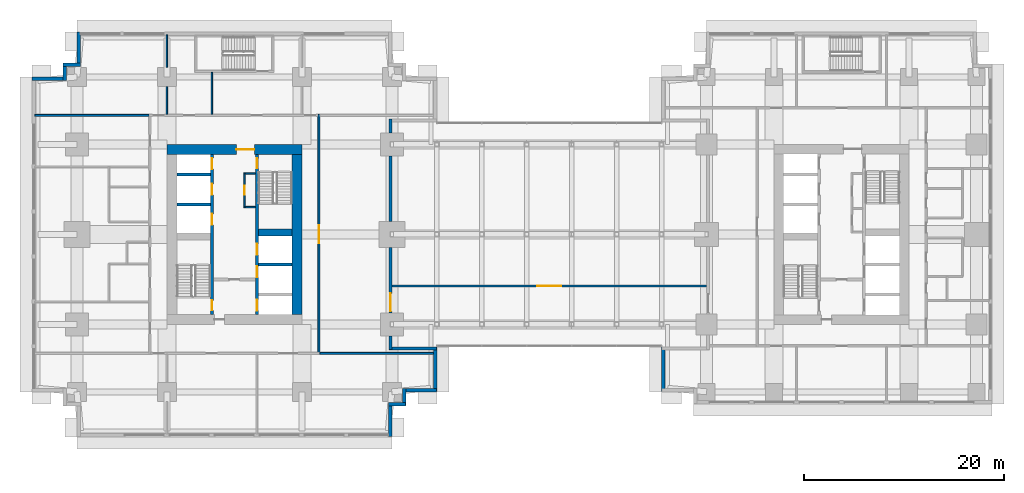
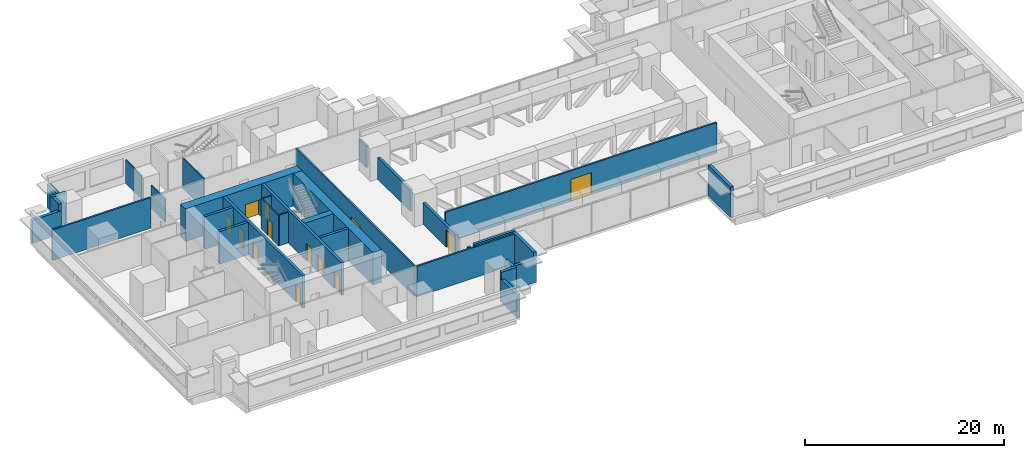
# One storey, part 8 of 15: 33 walls, 13 doors, 13 openings.
"""IFC4 building model written with IfcOpenShell, lengths in metres."""

import ifcopenshell
import ifcopenshell.guid

model = None  # the IFC model being written
_history = None  # IfcOwnerHistory: only IFC2X3 demands one
_inside = {}  # id of a spatial element -> (the spatial element, [elements in it])
_under = {}  # id of a project, library or spatial element -> (it, [spatial elements below it])
_declared = {}  # id of a project -> (the project, [libraries it declares])
_typed = {}  # id of a type object -> (the type object, [elements of that type])
_made_of = {}  # id of a material, layer set ... -> (it, [elements and type objects made of it])


def new_model(schema):
    """Start an empty IFC model of exactly this schema.

    Asked for "IFC4X3", IfcOpenShell would pick the latest addendum, in which some entities
    have other attributes; the version numbers below select the first issue.
    IFC2X3 requires an IfcOwnerHistory on every rooted entity: one is made here for all.
    """
    global model, _history
    if schema == "IFC4X3":
        model = ifcopenshell.file(schema_version=(4, 3, 0, 0))
    else:
        model = ifcopenshell.file(schema=schema)
    _inside.clear()
    _under.clear()
    _declared.clear()
    _typed.clear()
    _made_of.clear()
    _history = None
    if model.schema == "IFC2X3":
        org = make("IfcOrganization", Name="unknown")
        user = make(
            "IfcPersonAndOrganization",
            ThePerson=make("IfcPerson", FamilyName="unknown"),
            TheOrganization=org,
        )
        app = make(
            "IfcApplication",
            ApplicationDeveloper=org,
            Version="unknown",
            ApplicationFullName="unknown",
            ApplicationIdentifier="unknown",
        )
        _history = make(
            "IfcOwnerHistory",
            OwningUser=user,
            OwningApplication=app,
            ChangeAction="ADDED",
            CreationDate=0,
        )
    return model


def make(cls, **values):
    """One entity of the class cls with the attributes given. An attribute that is None is left unset."""
    return model.create_entity(
        cls, **{name: value for name, value in values.items() if value is not None}
    )


def rooted(cls, **values):
    """An entity with a GlobalId (a new one), such as an element, a storey or a relation."""
    return make(cls, GlobalId=ifcopenshell.guid.new(), OwnerHistory=_history, **values)


def si_unit(unit_type, name, prefix=None):
    """IfcSIUnit, for example si_unit("LENGTHUNIT", "METRE", prefix="MILLI")."""
    return make("IfcSIUnit", UnitType=unit_type, Prefix=prefix, Name=name)


def assignment(units):
    """IfcUnitAssignment: the units of a project."""
    return None if units is None else make("IfcUnitAssignment", Units=units)


def point(xyz):
    """IfcCartesianPoint."""
    return None if xyz is None else make("IfcCartesianPoint", Coordinates=xyz)


def direction(xyz):
    """IfcDirection."""
    return None if xyz is None else make("IfcDirection", DirectionRatios=xyz)


def frame(location, z_axis=None, x_axis=None):
    """IfcAxis2Placement3D, a coordinate frame: its origin and axes. An axis left out is left unset."""
    return make(
        "IfcAxis2Placement3D",
        Location=point(location),
        Axis=direction(z_axis),
        RefDirection=direction(x_axis),
    )


def frame_2d(location, x_axis=None):
    """IfcAxis2Placement2D, a coordinate frame in the plane: its origin and x axis."""
    return make(
        "IfcAxis2Placement2D", Location=point(location), RefDirection=direction(x_axis)
    )


def origin():
    """The frame at (0, 0, 0) with its axes left unset."""
    return frame((0.0, 0.0, 0.0))


def place(relative_to, where):
    """IfcLocalPlacement: puts the frame where relative to a parent placement (None: the world)."""
    return make(
        "IfcLocalPlacement", PlacementRelTo=relative_to, RelativePlacement=where
    )


def context(
    kind, dimensions, precision=None, world=None, true_north=None, identifier=None
):
    """IfcGeometricRepresentationContext, for example the 3D "Model" context."""
    return make(
        "IfcGeometricRepresentationContext",
        ContextIdentifier=identifier,
        ContextType=kind,
        CoordinateSpaceDimension=dimensions,
        Precision=precision,
        WorldCoordinateSystem=world,
        TrueNorth=true_north,
    )


def subcontext(parent, identifier, kind, view, scale=None):
    """IfcGeometricRepresentationSubContext, for example "Body" below "Model"."""
    return make(
        "IfcGeometricRepresentationSubContext",
        ContextIdentifier=identifier,
        ContextType=kind,
        ParentContext=parent,
        TargetScale=scale,
        TargetView=view,
    )


def project(units=None, contexts=None):
    """IfcProject with its units and contexts."""
    return rooted(
        "IfcProject",
        Name="project",
        RepresentationContexts=contexts,
        UnitsInContext=assignment(units),
    )


def spatial(cls, under=None, at=None, **own):
    """A site, building, storey or space (cls), placed at a placement, below another one or the project."""
    s = rooted(cls, ObjectPlacement=at, **own)
    if under is not None:
        _under.setdefault(under.id(), (under, []))[1].append(s)
    return s


def profile(cls, at=None, kind="AREA", **sizes):
    """A parametric profile (cls). Its sizes go by their IFC names, for example OverallWidth=200.0."""
    return make(cls, ProfileType=kind, Position=at, **sizes)


def rectangle(**sizes):
    """IfcRectangleProfileDef."""
    return profile("IfcRectangleProfileDef", **sizes)


def extrude(swept, where, along, depth):
    """IfcExtrudedAreaSolid: the profile swept, set in the frame where, extruded along a direction by depth."""
    return make(
        "IfcExtrudedAreaSolid",
        SweptArea=swept,
        Position=where,
        ExtrudedDirection=direction(along),
        Depth=depth,
    )


def shape(context_of_items, identifier, shape_type, items):
    """IfcShapeRepresentation: the items that make up one representation, for example the "Body"."""
    return make(
        "IfcShapeRepresentation",
        ContextOfItems=context_of_items,
        RepresentationIdentifier=identifier,
        RepresentationType=shape_type,
        Items=items,
    )


def material(Name=None, Category=None):
    """IfcMaterial."""
    return make("IfcMaterial", Name=Name, Category=Category)


def layer(
    of_material, thickness, ventilated=None, Name=None, Category=None, Priority=None
):
    """IfcMaterialLayer: one layer of a wall or slab, of a material (None: an air gap)."""
    return make(
        "IfcMaterialLayer",
        Material=of_material,
        LayerThickness=thickness,
        IsVentilated=ventilated,
        Name=Name,
        Category=Category,
        Priority=Priority,
    )


def layer_set(layers, Name=None):
    """IfcMaterialLayerSet."""
    return make("IfcMaterialLayerSet", MaterialLayers=layers, LayerSetName=Name)


def made_of(thing, what):
    """Note that an element or type object is made of a material, layer set ...; save() writes the relation."""
    if what is not None:
        _made_of.setdefault(what.id(), (what, []))[1].append(thing)
    return thing


def type_object(cls, material=None, **own):
    """A type object (cls), such as IfcWallType, which elements share."""
    return made_of(rooted(cls, **own), material)


def element(
    cls,
    number,
    at=None,
    inside=None,
    cuts=None,
    type_object=None,
    material=None,
    context=None,
    identifier="Body",
    shape_type=None,
    held_by="IfcProductDefinitionShape",
    body=None,
    shapes=None,
    **own,
):
    """One element of the class cls, such as IfcWall. Its Tag is "e" and its number.

    at: its placement. inside: the storey or other place that contains it. cuts: it is an
    opening in that element (IfcRelVoidsElement). A single representation is given by context,
    identifier, shape_type and body (its items); several are given by shapes. held_by: the class
    of the entity that holds the representations. save() writes the other relations.
    """
    e = rooted(cls, Tag="e%d" % number, ObjectPlacement=at, **own)
    if body is not None:
        shapes = [shape(context, identifier, shape_type, body)]
    if shapes is not None:
        e.Representation = make(held_by, Representations=shapes)
    if inside is not None:
        _inside.setdefault(inside.id(), (inside, []))[1].append(e)
    if cuts is not None:
        rooted(
            "IfcRelVoidsElement", RelatingBuildingElement=cuts, RelatedOpeningElement=e
        )
    if type_object is not None:
        _typed.setdefault(type_object.id(), (type_object, []))[1].append(e)
    return made_of(e, material)


def fill(opening, filler):
    """IfcRelFillsElement: the door or window that sits in an opening."""
    return rooted(
        "IfcRelFillsElement",
        RelatingOpeningElement=opening,
        RelatedBuildingElement=filler,
    )


def aggregate(whole, parts):
    """IfcRelAggregates: a whole, such as a stair, and the parts it consists of."""
    return rooted("IfcRelAggregates", RelatingObject=whole, RelatedObjects=parts)


def save(model, path):
    """Write the relations noted so far, then the file.

    IfcRelAggregates (storeys below a building ...), IfcRelContainedInSpatialStructure (elements
    in a storey), IfcRelDefinesByType, IfcRelAssociatesMaterial and IfcRelDeclares: one each for
    every whole, place, type object, material and project.
    """
    for whole, parts in _under.values():
        aggregate(whole, parts)
    for where, things in _inside.values():
        rooted(
            "IfcRelContainedInSpatialStructure",
            RelatedElements=things,
            RelatingStructure=where,
        )
    for kind, things in _typed.values():
        rooted("IfcRelDefinesByType", RelatedObjects=things, RelatingType=kind)
    for what, things in _made_of.values():
        rooted("IfcRelAssociatesMaterial", RelatedObjects=things, RelatingMaterial=what)
    for by, libraries in _declared.values():
        rooted("IfcRelDeclares", RelatingContext=by, RelatedDefinitions=libraries)
    model.write(path)


model = new_model("IFC4")

# Units and contexts
model_context = context("Model", 3, precision=1e-05, world=origin(), true_north=direction((0.0, 1.0)))
body_context = subcontext(model_context, "Body", "Model", "MODEL_VIEW")
ifc_project = project(units=[si_unit("LENGTHUNIT", "METRE"), si_unit("AREAUNIT", "SQUARE_METRE"), si_unit("VOLUMEUNIT", "CUBIC_METRE"), si_unit("PLANEANGLEUNIT", "RADIAN"), si_unit("MASSUNIT", "GRAM", prefix="KILO")], contexts=[model_context])

# Site, building, storey
site_placement = place(None, origin())
site = spatial("IfcSite", under=ifc_project, at=site_placement, CompositionType="ELEMENT")
building_placement = place(site_placement, origin())
building = spatial("IfcBuilding", under=site, at=building_placement, Name="Namib Vertical Campus", CompositionType="ELEMENT")
storey_placement = place(building_placement, frame((0.0, 0.0, 105.0)))
storey = spatial("IfcBuildingStorey", under=building, at=storey_placement, Name="L24", CompositionType="ELEMENT", Elevation=105.0)

# Wall, openings, doors
ifc_material_1 = material(Name="Concrete C60/75", Category="concrete")
ifc_layer_1 = layer(ifc_material_1, 0.300048828125)
ifc_layer_set_1 = layer_set([ifc_layer_1], Name="Concrete C60/75")
wall_type_1 = type_object("IfcWallType", Name="Core inner wall 300", PredefinedType="SHEAR", material=ifc_layer_set_1)
wall_1_placement = place(storey_placement, frame((18.0, 12.25, 0.0), z_axis=(0.0, 0.0, 1.0), x_axis=(0.0, 1.0, 0.0)))
wall_1 = element("IfcWall", 1, at=wall_1_placement, inside=storey, type_object=wall_type_1, Name="Core inner wall A L24 W1", PredefinedType="SHEAR", context=body_context, shape_type="SweptSolid", body=[
    extrude(rectangle(XDim=16.0, YDim=0.300048828125, at=frame_2d((8.0, 0.0))), origin(), (0.0, 0.0, 1.0), 4.0),
])
opening_1_placement = place(wall_1_placement, frame((0.39990234375, 0.0, 0.0)))
opening_1 = element("IfcOpeningElement", 2, at=opening_1_placement, cuts=wall_1, Name="Opening FD1", PredefinedType="OPENING", context=body_context, shape_type="SweptSolid", body=[
    extrude(rectangle(XDim=1.0, YDim=2.10009765625, at=frame_2d((0.5, 1.050048828125))), frame((0.0, 0.159912109375, 0.0), z_axis=(0.0, -1.0, 0.0), x_axis=(1.0, 0.0, 0.0)), (0.0, 0.0, 1.0), 0.320068359375),
])
opening_2_placement = place(wall_1_placement, frame((8.949951171875, 0.0, 0.0)))
opening_2 = element("IfcOpeningElement", 3, at=opening_2_placement, cuts=wall_1, Name="Opening LD1", PredefinedType="OPENING", context=body_context, shape_type="SweptSolid", body=[
    extrude(rectangle(XDim=1.10009765625, YDim=2.10009765625, at=frame_2d((0.550048828125, 1.050048828125))), frame((0.0, 0.159912109375, 0.0), z_axis=(0.0, -1.0, 0.0), x_axis=(1.0, 0.0, 0.0)), (0.0, 0.0, 1.0), 0.320068359375),
])
opening_3_placement = place(wall_1_placement, frame((11.949951171875, 0.0, 0.0)))
opening_3 = element("IfcOpeningElement", 4, at=opening_3_placement, cuts=wall_1, Name="Opening LD1", PredefinedType="OPENING", context=body_context, shape_type="SweptSolid", body=[
    extrude(rectangle(XDim=1.10009765625, YDim=2.10009765625, at=frame_2d((0.550048828125, 1.050048828125))), frame((0.0, 0.159912109375, 0.0), z_axis=(0.0, -1.0, 0.0), x_axis=(1.0, 0.0, 0.0)), (0.0, 0.0, 1.0), 0.320068359375),
])
opening_4_placement = place(wall_1_placement, frame((14.52490234375, 0.0, 0.0)))
opening_4 = element("IfcOpeningElement", 5, at=opening_4_placement, cuts=wall_1, Name="Opening LD1", PredefinedType="OPENING", context=body_context, shape_type="SweptSolid", body=[
    extrude(rectangle(XDim=1.10009765625, YDim=2.10009765625, at=frame_2d((0.550048828125, 1.050048828125))), frame((0.0, 0.159912109375, 0.0), z_axis=(0.0, -1.0, 0.0), x_axis=(1.0, 0.0, 0.0)), (0.0, 0.0, 1.0), 0.320068359375),
])
ifc_material_2 = material(Name="Steel fire door", Category="steel")
door_type_1 = type_object("IfcDoorType", Name="Fire door 1000x2100", OperationType="SINGLE_SWING_RIGHT", PredefinedType="DOOR", material=ifc_material_2)
door_1_placement = place(opening_1_placement, origin())
door_1 = element("IfcDoor", 6, at=door_1_placement, inside=storey, type_object=door_type_1, Name="Stair door FD1 A L24 S1", OperationType="SINGLE_SWING_LEFT", OverallHeight=2.10009765625, OverallWidth=1.0, PredefinedType="DOOR", context=body_context, shape_type="SweptSolid", body=[
    extrude(rectangle(XDim=1.0, YDim=2.10009765625, at=frame_2d((0.5, 1.050048828125))), frame((0.0, 0.02490234375, 0.0), z_axis=(0.0, -1.0, 0.0), x_axis=(1.0, 0.0, 0.0)), (0.0, 0.0, 1.0), 0.050048828125),
])
fill(opening_1, door_1)
ifc_material_3 = material(Name="Stainless steel lift door", Category="steel")
door_type_2 = type_object("IfcDoorType", Name="Lift landing door 1100x2100", OperationType="DOUBLE_DOOR_SLIDING", PredefinedType="DOOR", material=ifc_material_3)
door_2_placement = place(opening_2_placement, origin())
door_2 = element("IfcDoor", 7, at=door_2_placement, inside=storey, type_object=door_type_2, Name="Lift landing door LD1 A-P1 L24", OperationType="DOUBLE_DOOR_SLIDING", OverallHeight=2.10009765625, OverallWidth=1.10009765625, PredefinedType="DOOR", context=body_context, shape_type="SweptSolid", body=[
    extrude(rectangle(XDim=1.10009765625, YDim=2.10009765625, at=frame_2d((0.550048828125, 1.050048828125))), frame((0.0, 0.02490234375, 0.0), z_axis=(0.0, -1.0, 0.0), x_axis=(1.0, 0.0, 0.0)), (0.0, 0.0, 1.0), 0.050048828125),
])
fill(opening_2, door_2)
door_3_placement = place(opening_3_placement, origin())
door_3 = element("IfcDoor", 8, at=door_3_placement, inside=storey, type_object=door_type_2, Name="Lift landing door LD1 A-P2 L24", OperationType="DOUBLE_DOOR_SLIDING", OverallHeight=2.10009765625, OverallWidth=1.10009765625, PredefinedType="DOOR", context=body_context, shape_type="SweptSolid", body=[
    extrude(rectangle(XDim=1.10009765625, YDim=2.10009765625, at=frame_2d((0.550048828125, 1.050048828125))), frame((0.0, 0.02490234375, 0.0), z_axis=(0.0, -1.0, 0.0), x_axis=(1.0, 0.0, 0.0)), (0.0, 0.0, 1.0), 0.050048828125),
])
fill(opening_3, door_3)
door_4_placement = place(opening_4_placement, origin())
door_4 = element("IfcDoor", 9, at=door_4_placement, inside=storey, type_object=door_type_2, Name="Lift landing door LD1 A-P3 L24", OperationType="DOUBLE_DOOR_SLIDING", OverallHeight=2.10009765625, OverallWidth=1.10009765625, PredefinedType="DOOR", context=body_context, shape_type="SweptSolid", body=[
    extrude(rectangle(XDim=1.10009765625, YDim=2.10009765625, at=frame_2d((0.550048828125, 1.050048828125))), frame((0.0, 0.02490234375, 0.0), z_axis=(0.0, -1.0, 0.0), x_axis=(1.0, 0.0, 0.0)), (0.0, 0.0, 1.0), 0.050048828125),
])
fill(opening_4, door_4)

wall_2_placement = place(storey_placement, frame((22.5, 12.25, 0.0), z_axis=(0.0, 0.0, 1.0), x_axis=(0.0, 1.0, 0.0)))
wall_2 = element("IfcWall", 10, at=wall_2_placement, inside=storey, type_object=wall_type_1, Name="Core inner wall A L24 W2", PredefinedType="SHEAR", context=body_context, shape_type="SweptSolid", body=[
    extrude(rectangle(XDim=16.0, YDim=0.300048828125, at=frame_2d((8.0, 0.0))), origin(), (0.0, 0.0, 1.0), 4.0),
])
opening_5_placement = place(wall_2_placement, frame((14.60009765625, 0.0, 0.0)))
opening_5 = element("IfcOpeningElement", 11, at=opening_5_placement, cuts=wall_2, Name="Opening FD1", PredefinedType="OPENING", context=body_context, shape_type="SweptSolid", body=[
    extrude(rectangle(XDim=1.0, YDim=2.10009765625, at=frame_2d((0.5, 1.050048828125))), frame((0.0, 0.159912109375, 0.0), z_axis=(0.0, -1.0, 0.0), x_axis=(1.0, 0.0, 0.0)), (0.0, 0.0, 1.0), 0.320068359375),
])
opening_6_placement = place(wall_2_placement, frame((0.375, 0.0, 0.0)))
opening_6 = element("IfcOpeningElement", 12, at=opening_6_placement, cuts=wall_2, Name="Opening LD1", PredefinedType="OPENING", context=body_context, shape_type="SweptSolid", body=[
    extrude(rectangle(XDim=1.10009765625, YDim=2.10009765625, at=frame_2d((0.550048828125, 1.050048828125))), frame((0.0, 0.159912109375, 0.0), z_axis=(0.0, -1.0, 0.0), x_axis=(1.0, 0.0, 0.0)), (0.0, 0.0, 1.0), 0.320068359375),
])
opening_7_placement = place(wall_2_placement, frame((3.699951171875, 0.0, 0.0)))
opening_7 = element("IfcOpeningElement", 13, at=opening_7_placement, cuts=wall_2, Name="Opening LD1", PredefinedType="OPENING", context=body_context, shape_type="SweptSolid", body=[
    extrude(rectangle(XDim=1.10009765625, YDim=2.10009765625, at=frame_2d((0.550048828125, 1.050048828125))), frame((0.0, 0.159912109375, 0.0), z_axis=(0.0, -1.0, 0.0), x_axis=(1.0, 0.0, 0.0)), (0.0, 0.0, 1.0), 0.320068359375),
])
opening_8_placement = place(wall_2_placement, frame((5.949951171875, 0.0, 0.0)))
opening_8 = element("IfcOpeningElement", 14, at=opening_8_placement, cuts=wall_2, Name="Opening LD1", PredefinedType="OPENING", context=body_context, shape_type="SweptSolid", body=[
    extrude(rectangle(XDim=1.10009765625, YDim=2.10009765625, at=frame_2d((0.550048828125, 1.050048828125))), frame((0.0, 0.159912109375, 0.0), z_axis=(0.0, -1.0, 0.0), x_axis=(1.0, 0.0, 0.0)), (0.0, 0.0, 1.0), 0.320068359375),
])
door_5_placement = place(opening_5_placement, frame((1.0, 0.0, 0.0), z_axis=(0.0, 0.0, 1.0), x_axis=(-1.0, 0.0, 0.0)))
door_5 = element("IfcDoor", 15, at=door_5_placement, inside=storey, type_object=door_type_1, Name="Stair door FD1 A L24 S2", OperationType="SINGLE_SWING_LEFT", OverallHeight=2.10009765625, OverallWidth=1.0, PredefinedType="DOOR", context=body_context, shape_type="SweptSolid", body=[
    extrude(rectangle(XDim=1.0, YDim=2.10009765625, at=frame_2d((0.5, 1.050048828125))), frame((0.0, 0.02490234375, 0.0), z_axis=(0.0, -1.0, 0.0), x_axis=(1.0, 0.0, 0.0)), (0.0, 0.0, 1.0), 0.050048828125),
])
fill(opening_5, door_5)
door_6_placement = place(opening_6_placement, origin())
door_6 = element("IfcDoor", 16, at=door_6_placement, inside=storey, type_object=door_type_2, Name="Lift landing door LD1 A-FL1 L24", OperationType="DOUBLE_DOOR_SLIDING", OverallHeight=2.10009765625, OverallWidth=1.10009765625, PredefinedType="DOOR", context=body_context, shape_type="SweptSolid", body=[
    extrude(rectangle(XDim=1.10009765625, YDim=2.10009765625, at=frame_2d((0.550048828125, 1.050048828125))), frame((0.0, 0.02490234375, 0.0), z_axis=(0.0, -1.0, 0.0), x_axis=(1.0, 0.0, 0.0)), (0.0, 0.0, 1.0), 0.050048828125),
])
fill(opening_6, door_6)
door_7_placement = place(opening_7_placement, origin())
door_7 = element("IfcDoor", 17, at=door_7_placement, inside=storey, type_object=door_type_2, Name="Lift landing door LD1 A-P4 L24", OperationType="DOUBLE_DOOR_SLIDING", OverallHeight=2.10009765625, OverallWidth=1.10009765625, PredefinedType="DOOR", context=body_context, shape_type="SweptSolid", body=[
    extrude(rectangle(XDim=1.10009765625, YDim=2.10009765625, at=frame_2d((0.550048828125, 1.050048828125))), frame((0.0, 0.02490234375, 0.0), z_axis=(0.0, -1.0, 0.0), x_axis=(1.0, 0.0, 0.0)), (0.0, 0.0, 1.0), 0.050048828125),
])
fill(opening_7, door_7)
door_8_placement = place(opening_8_placement, origin())
door_8 = element("IfcDoor", 18, at=door_8_placement, inside=storey, type_object=door_type_2, Name="Lift landing door LD1 A-P5 L24", OperationType="DOUBLE_DOOR_SLIDING", OverallHeight=2.10009765625, OverallWidth=1.10009765625, PredefinedType="DOOR", context=body_context, shape_type="SweptSolid", body=[
    extrude(rectangle(XDim=1.10009765625, YDim=2.10009765625, at=frame_2d((0.550048828125, 1.050048828125))), frame((0.0, 0.02490234375, 0.0), z_axis=(0.0, -1.0, 0.0), x_axis=(1.0, 0.0, 0.0)), (0.0, 0.0, 1.0), 0.050048828125),
])
fill(opening_8, door_8)

# Walls
for number, where, z_axis, x_axis, name in (
    (19, (22.64990234375, 17.25, 0.0), (0.0, 0.0, 1.0), (1.0, 0.0, 0.0), "Core inner wall A L24 W6"),
    (20, (14.5, 23.25, 0.0), (0.0, 0.0, 1.0), (1.0, 0.0, 0.0), "Core inner wall A L24 W8"),
    (21, (14.5, 26.25, 0.0), (0.0, 0.0, 1.0), (1.0, 0.0, 0.0), "Core inner wall A L24 W9"),
):
    element("IfcWall", number, at=place(storey_placement, frame(where, z_axis=z_axis, x_axis=x_axis)), inside=storey, type_object=wall_type_1, Name=name, PredefinedType="SHEAR", context=body_context, shape_type="SweptSolid", body=[
        extrude(rectangle(XDim=3.35009765625, YDim=0.300048828125, at=frame_2d((1.675048828125, 0.0))), origin(), (0.0, 0.0, 1.0), 4.0),
    ])
ifc_material_4 = material(Name="Concrete C60/75", Category="concrete")
ifc_layer_2 = layer(ifc_material_4, 0.699951171875)
ifc_layer_set_2 = layer_set([ifc_layer_2], Name="Concrete C60/75")
wall_type_2 = type_object("IfcWallType", Name="Core shear wall 700", PredefinedType="SHEAR", material=ifc_layer_set_2)
wall_3_placement = place(storey_placement, frame((22.64990234375, 20.449951171875, 0.0), z_axis=(0.0, 0.0, 1.0), x_axis=(1.0, 0.0, 0.0)))
element("IfcWall", 22, at=wall_3_placement, inside=storey, type_object=wall_type_2, Name="Core shear wall A L24 W7", PredefinedType="SHEAR", context=body_context, shape_type="SweptSolid", body=[
    extrude(rectangle(XDim=3.35009765625, YDim=0.699951171875, at=frame_2d((1.675048828125, 0.0))), origin(), (0.0, 0.0, 1.0), 4.0),
])
ifc_material_5 = material(Name="Concrete C60/75", Category="concrete")
ifc_layer_3 = layer(ifc_material_5, 1.0)
ifc_layer_set_3 = layer_set([ifc_layer_3], Name="Concrete C60/75")
wall_type_3 = type_object("IfcWallType", Name="Core wall 1000", PredefinedType="SHEAR", material=ifc_layer_set_3)
wall_4_placement = place(storey_placement, frame((26.5, 12.25, 0.0), z_axis=(0.0, 0.0, 1.0), x_axis=(0.0, 1.0, 0.0)))
element("IfcWall", 23, at=wall_4_placement, inside=storey, type_object=wall_type_3, Name="Core wall A L24 2", PredefinedType="SHEAR", context=body_context, shape_type="SweptSolid", body=[
    extrude(rectangle(XDim=16.0, YDim=1.0, at=frame_2d((8.0, 0.0))), origin(), (0.0, 0.0, 1.0), 4.0),
])

# Wall, opening, door
wall_5_placement = place(storey_placement, frame((27.0, 28.75, 0.0), z_axis=(0.0, 0.0, 1.0), x_axis=(-1.0, 0.0, 0.0)))
wall_5 = element("IfcWall", 24, at=wall_5_placement, inside=storey, type_object=wall_type_3, Name="Core wall A L24 3", PredefinedType="SHEAR", context=body_context, shape_type="SweptSolid", body=[
    extrude(rectangle(XDim=13.5, YDim=1.0, at=frame_2d((6.75, 0.0))), origin(), (0.0, 0.0, 1.0), 4.0),
])
opening_9_placement = place(wall_5_placement, frame((4.75, 0.0, 0.0)))
opening_9 = element("IfcOpeningElement", 25, at=opening_9_placement, cuts=wall_5, Name="Opening FD2", PredefinedType="OPENING", context=body_context, shape_type="SweptSolid", body=[
    extrude(rectangle(XDim=1.800048828125, YDim=2.10009765625, at=frame_2d((0.89990234375, 1.050048828125))), frame((0.0, 0.510009765625, 0.0), z_axis=(0.0, -1.0, 0.0), x_axis=(1.0, 0.0, 0.0)), (0.0, 0.0, 1.0), 1.02001953125),
])
ifc_material_6 = material(Name="Steel fire door", Category="steel")
door_type_3 = type_object("IfcDoorType", Name="Fire door double 1800x2100", OperationType="DOUBLE_DOOR_SINGLE_SWING", PredefinedType="DOOR", material=ifc_material_6)
door_9_placement = place(opening_9_placement, origin())
door_9 = element("IfcDoor", 26, at=door_9_placement, inside=storey, type_object=door_type_3, Name="Lift lobby door FD2 A L24", OperationType="DOUBLE_DOOR_SINGLE_SWING", OverallHeight=2.10009765625, OverallWidth=1.800048828125, PredefinedType="DOOR", context=body_context, shape_type="SweptSolid", body=[
    extrude(rectangle(XDim=1.800048828125, YDim=2.10009765625, at=frame_2d((0.89990234375, 1.050048828125))), frame((0.0, 0.02490234375, 0.0), z_axis=(0.0, -1.0, 0.0), x_axis=(1.0, 0.0, 0.0)), (0.0, 0.0, 1.0), 0.050048828125),
])
fill(opening_9, door_9)

ifc_material_7 = material(Name="Concrete masonry", Category="masonry")
ifc_layer_4 = layer(ifc_material_7, 0.199951171875)
ifc_layer_set_4 = layer_set([ifc_layer_4], Name="Corridor wall 200")
wall_type_4 = type_object("IfcWallType", Name="Corridor wall 200", PredefinedType="SOLIDWALL", material=ifc_layer_set_4)
wall_6_placement = place(storey_placement, frame((28.699951171875, 8.449951171875, 0.0), z_axis=(0.0, 0.0, 1.0), x_axis=(0.0, 1.0, 0.0)))
wall_6 = element("IfcWall", 27, at=wall_6_placement, inside=storey, type_object=wall_type_4, Name="Corridor wall A L24 CE", PredefinedType="SOLIDWALL", context=body_context, shape_type="SweptSolid", body=[
    extrude(rectangle(XDim=23.800048828125, YDim=0.199951171875, at=frame_2d((11.89990234375, 0.0))), origin(), (0.0, 0.0, 1.0), 3.75),
])
opening_10_placement = place(wall_6_placement, frame((10.89990234375, 0.0, 0.0)))
opening_10 = element("IfcOpeningElement", 28, at=opening_10_placement, cuts=wall_6, Name="Opening FD2", PredefinedType="OPENING", context=body_context, shape_type="SweptSolid", body=[
    extrude(rectangle(XDim=1.800048828125, YDim=2.10009765625, at=frame_2d((0.89990234375, 1.050048828125))), frame((0.0, 0.10986328125, 0.0), z_axis=(0.0, -1.0, 0.0), x_axis=(1.0, 0.0, 0.0)), (0.0, 0.0, 1.0), 0.219970703125),
])
door_10_placement = place(opening_10_placement, origin())
door_10 = element("IfcDoor", 29, at=door_10_placement, inside=storey, type_object=door_type_3, Name="Door FD2 A24-04", OperationType="DOUBLE_DOOR_SINGLE_SWING", OverallHeight=2.10009765625, OverallWidth=1.800048828125, PredefinedType="DOOR", context=body_context, shape_type="SweptSolid", body=[
    extrude(rectangle(XDim=1.800048828125, YDim=2.10009765625, at=frame_2d((0.89990234375, 1.050048828125))), frame((0.0, 0.02490234375, 0.0), z_axis=(0.0, -1.0, 0.0), x_axis=(1.0, 0.0, 0.0)), (0.0, 0.0, 1.0), 0.050048828125),
])
fill(opening_10, door_10)

# Walls
for number, where, z_axis, x_axis, name in (
    (30, (28.800048828125, 8.35009765625, 0.0), (0.0, 0.0, 1.0), (1.0, 0.0, 0.0), "Partition A L24 BSE"),
    (31, (0.300048828125, 32.14990234375, 0.0), (0.0, 0.0, 1.0), (1.0, 0.0, 0.0), "Partition A L24 BNW"),
):
    element("IfcWall", number, at=place(storey_placement, frame(where, z_axis=z_axis, x_axis=x_axis)), inside=storey, type_object=wall_type_4, Name=name, PredefinedType="SOLIDWALL", context=body_context, shape_type="SweptSolid", body=[
        extrude(rectangle(XDim=11.39990234375, YDim=0.199951171875, at=frame_2d((5.699951171875, 0.0))), origin(), (0.0, 0.0, 1.0), 3.75),
    ])

# Wall, opening, door
wall_7_placement = place(storey_placement, frame((36.0, 15.10009765625, 0.0), z_axis=(0.0, 0.0, 1.0), x_axis=(1.0, 0.0, 0.0)))
wall_7 = element("IfcWall", 32, at=wall_7_placement, inside=storey, type_object=wall_type_4, Name="Concourse wall L24", PredefinedType="SOLIDWALL", context=body_context, shape_type="SweptSolid", body=[
    extrude(rectangle(XDim=31.5, YDim=0.199951171875, at=frame_2d((15.75, 0.0))), origin(), (0.0, 0.0, 1.0), 3.75),
])
opening_11_placement = place(wall_7_placement, frame((14.550048828125, 0.0, 0.0)))
opening_11 = element("IfcOpeningElement", 33, at=opening_11_placement, cuts=wall_7, Name="Opening PD1", PredefinedType="OPENING", context=body_context, shape_type="SweptSolid", body=[
    extrude(rectangle(XDim=2.39990234375, YDim=2.699951171875, at=frame_2d((1.199951171875, 1.35009765625))), frame((0.0, 0.10986328125, 0.0), z_axis=(0.0, -1.0, 0.0), x_axis=(1.0, 0.0, 0.0)), (0.0, 0.0, 1.0), 0.219970703125),
])
ifc_material_8 = material(Name="Steel fire door", Category="steel")
door_type_4 = type_object("IfcDoorType", Name="Plant room door pair 2400x2700 60 min", OperationType="DOUBLE_DOOR_SINGLE_SWING", PredefinedType="DOOR", material=ifc_material_8)
door_11_placement = place(opening_11_placement, origin())
door_11 = element("IfcDoor", 34, at=door_11_placement, inside=storey, type_object=door_type_4, Name="Door PD1 BR24-02", OperationType="DOUBLE_DOOR_SINGLE_SWING", OverallHeight=2.699951171875, OverallWidth=2.39990234375, PredefinedType="DOOR", context=body_context, shape_type="SweptSolid", body=[
    extrude(rectangle(XDim=2.39990234375, YDim=2.699951171875, at=frame_2d((1.199951171875, 1.35009765625))), frame((0.0, 0.02490234375, 0.0), z_axis=(0.0, -1.0, 0.0), x_axis=(1.0, 0.0, 0.0)), (0.0, 0.0, 1.0), 0.050048828125),
])
fill(opening_11, door_11)

# Walls
ifc_material_9 = material(Name="Concrete C40/50", Category="concrete")
ifc_layer_5 = layer(ifc_material_9, 0.35009765625)
ifc_layer_set_5 = layer_set([ifc_layer_5], Name="Concrete C40/50")
wall_type_5 = type_object("IfcWallType", Name="External wall 350 bush-hammered concrete", PredefinedType="STANDARD", material=ifc_layer_set_5)
wall_8_placement = place(storey_placement, frame((35.824951171875, 0.02001953125, 0.0), z_axis=(0.0, 0.0, 1.0), x_axis=(0.0, 1.0, 0.0)))
element("IfcWall", 35, at=wall_8_placement, inside=storey, type_object=wall_type_5, Name="External wall L24 F03", PredefinedType="STANDARD", context=body_context, shape_type="SweptSolid", body=[
    extrude(rectangle(XDim=3.409912109375, YDim=0.35009765625, at=frame_2d((1.705078125, 0.0))), origin(), (0.0, 0.0, 1.0), 2.85009765625),
])
for number, where, z_axis, x_axis, name in (
    (36, (35.669921875, 3.27490234375, 0.0), (0.0, 0.0, 1.0), (1.0, 0.0, 0.0), "External wall L24 F04"),
    (37, (37.22509765625, 3.1201171875, 0.0), (0.0, 0.0, 1.0), (0.0, 1.0, 0.0), "External wall L24 F05"),
):
    element("IfcWall", number, at=place(storey_placement, frame(where, z_axis=z_axis, x_axis=x_axis)), inside=storey, type_object=wall_type_5, Name=name, PredefinedType="STANDARD", context=body_context, shape_type="SweptSolid", body=[
        extrude(rectangle(XDim=1.7099609375, YDim=0.35009765625, at=frame_2d((0.85498046875, 0.0))), origin(), (0.0, 0.0, 1.0), 3.75),
    ])
wall_9_placement = place(storey_placement, frame((37.070068359375, 4.675048828125, 0.0), z_axis=(0.0, 0.0, 1.0), x_axis=(1.0, 0.0, 0.0)))
element("IfcWall", 38, at=wall_9_placement, inside=storey, type_object=wall_type_5, Name="External wall L24 F06", PredefinedType="STANDARD", context=body_context, shape_type="SweptSolid", body=[
    extrude(rectangle(XDim=3.409912109375, YDim=0.35009765625, at=frame_2d((1.705078125, 0.0))), origin(), (0.0, 0.0, 1.0), 2.85009765625),
])
wall_10_placement = place(storey_placement, frame((40.324951171875, 4.52001953125, 0.0), z_axis=(0.0, 0.0, 1.0), x_axis=(0.0, 1.0, 0.0)))
element("IfcWall", 39, at=wall_10_placement, inside=storey, type_object=wall_type_5, Name="External wall L24 F07", PredefinedType="STANDARD", context=body_context, shape_type="SweptSolid", body=[
    extrude(rectangle(XDim=4.4599609375, YDim=0.35009765625, at=frame_2d((2.22998046875, 0.0))), origin(), (0.0, 0.0, 1.0), 3.75),
])
wall_11_placement = place(storey_placement, frame((4.675048828125, 40.47998046875, 0.0), z_axis=(0.0, 0.0, 1.0), x_axis=(0.0, -1.0, 0.0)))
element("IfcWall", 40, at=wall_11_placement, inside=storey, type_object=wall_type_5, Name="External wall L24 F17", PredefinedType="STANDARD", context=body_context, shape_type="SweptSolid", body=[
    extrude(rectangle(XDim=3.409912109375, YDim=0.35009765625, at=frame_2d((1.705078125, 0.0))), origin(), (0.0, 0.0, 1.0), 2.85009765625),
])
for number, where, z_axis, x_axis, name in (
    (41, (4.830078125, 37.22509765625, 0.0), (0.0, 0.0, 1.0), (-1.0, 0.0, 0.0), "External wall L24 F18"),
    (42, (3.27490234375, 37.3798828125, 0.0), (0.0, 0.0, 1.0), (0.0, -1.0, 0.0), "External wall L24 F19"),
):
    element("IfcWall", number, at=place(storey_placement, frame(where, z_axis=z_axis, x_axis=x_axis)), inside=storey, type_object=wall_type_5, Name=name, PredefinedType="STANDARD", context=body_context, shape_type="SweptSolid", body=[
        extrude(rectangle(XDim=1.7099609375, YDim=0.35009765625, at=frame_2d((0.85498046875, 0.0))), origin(), (0.0, 0.0, 1.0), 3.75),
    ])
wall_12_placement = place(storey_placement, frame((3.429931640625, 35.824951171875, 0.0), z_axis=(0.0, 0.0, 1.0), x_axis=(-1.0, 0.0, 0.0)))
element("IfcWall", 43, at=wall_12_placement, inside=storey, type_object=wall_type_5, Name="External wall L24 F20", PredefinedType="STANDARD", context=body_context, shape_type="SweptSolid", body=[
    extrude(rectangle(XDim=3.409912109375, YDim=0.35009765625, at=frame_2d((1.705078125, 0.0))), origin(), (0.0, 0.0, 1.0), 2.85009765625),
])
wall_13_placement = place(storey_placement, frame((63.175048828125, 8.97998046875, 0.0), z_axis=(0.0, 0.0, 1.0), x_axis=(0.0, -1.0, 0.0)))
element("IfcWall", 44, at=wall_13_placement, inside=storey, type_object=wall_type_5, Name="External wall L24 F01", PredefinedType="STANDARD", context=body_context, shape_type="SweptSolid", body=[
    extrude(rectangle(XDim=4.4599609375, YDim=0.35009765625, at=frame_2d((2.22998046875, 0.0))), origin(), (0.0, 0.0, 1.0), 3.75),
])
ifc_material_10 = material(Name="Concrete masonry", Category="masonry")
ifc_layer_6 = layer(ifc_material_10, 0.300048828125)
ifc_layer_set_6 = layer_set([ifc_layer_6], Name="Fire wall 300")
wall_type_6 = type_object("IfcWallType", Name="Fire wall 300", PredefinedType="SOLIDWALL", material=ifc_layer_set_6)
wall_14_placement = place(storey_placement, frame((40.47998046875, 8.85009765625, 0.0), z_axis=(0.0, 0.0, 1.0), x_axis=(-1.0, 0.0, 0.0)))
element("IfcWall", 45, at=wall_14_placement, inside=storey, type_object=wall_type_6, Name="External wall L24 F08", PredefinedType="SOLIDWALL", context=body_context, shape_type="SweptSolid", body=[
    extrude(rectangle(XDim=4.760009765625, YDim=0.300048828125, at=frame_2d((2.3798828125, 0.0))), origin(), (0.0, 0.0, 1.0), 3.75),
])
wall_15_placement = place(storey_placement, frame((35.85009765625, 8.719970703125, 0.0), z_axis=(0.0, 0.0, 1.0), x_axis=(0.0, 1.0, 0.0)))
element("IfcWall", 46, at=wall_15_placement, inside=storey, type_object=wall_type_6, Name="External wall L24 F09", PredefinedType="SOLIDWALL", context=body_context, shape_type="SweptSolid", body=[
    extrude(rectangle(XDim=1.380126953125, YDim=0.300048828125, at=frame_2d((0.68994140625, 0.0))), origin(), (0.0, 0.0, 1.0), 2.64990234375),
])

# Wall, opening, door
wall_16_placement = place(storey_placement, frame((35.85009765625, 12.39990234375, 0.0), z_axis=(0.0, 0.0, 1.0), x_axis=(0.0, 1.0, 0.0)))
wall_16 = element("IfcWall", 47, at=wall_16_placement, inside=storey, type_object=wall_type_6, Name="External wall L24 F09", PredefinedType="SOLIDWALL", context=body_context, shape_type="SweptSolid", body=[
    extrude(rectangle(XDim=6.550048828125, YDim=0.300048828125, at=frame_2d((3.27490234375, 0.0))), origin(), (0.0, 0.0, 1.0), 2.64990234375),
])
opening_12_placement = place(wall_16_placement, frame((0.14990234375, 0.0, 0.0)))
opening_12 = element("IfcOpeningElement", 48, at=opening_12_placement, cuts=wall_16, Name="Opening FD4", PredefinedType="OPENING", context=body_context, shape_type="SweptSolid", body=[
    extrude(rectangle(XDim=1.800048828125, YDim=2.10009765625, at=frame_2d((0.89990234375, 1.050048828125))), frame((0.0, 0.159912109375, 0.0), z_axis=(0.0, -1.0, 0.0), x_axis=(1.0, 0.0, 0.0)), (0.0, 0.0, 1.0), 0.320068359375),
])
ifc_material_11 = material(Name="Steel fire door", Category="steel")
door_type_5 = type_object("IfcDoorType", Name="Fire door double 1800x2100 120 min", OperationType="DOUBLE_DOOR_SINGLE_SWING", PredefinedType="DOOR", material=ifc_material_11)
door_12_placement = place(opening_12_placement, origin())
door_12 = element("IfcDoor", 49, at=door_12_placement, inside=storey, type_object=door_type_5, Name="Bridge fire door FD4 A L24", OperationType="DOUBLE_DOOR_SINGLE_SWING", OverallHeight=2.10009765625, OverallWidth=1.800048828125, PredefinedType="DOOR", context=body_context, shape_type="SweptSolid", body=[
    extrude(rectangle(XDim=1.800048828125, YDim=2.10009765625, at=frame_2d((0.89990234375, 1.050048828125))), frame((0.0, 0.02490234375, 0.0), z_axis=(0.0, -1.0, 0.0), x_axis=(1.0, 0.0, 0.0)), (0.0, 0.0, 1.0), 0.050048828125),
])
fill(opening_12, door_12)

# Walls
wall_17_placement = place(storey_placement, frame((35.85009765625, 21.550048828125, 0.0), z_axis=(0.0, 0.0, 1.0), x_axis=(0.0, 1.0, 0.0)))
element("IfcWall", 50, at=wall_17_placement, inside=storey, type_object=wall_type_6, Name="External wall L24 F09", PredefinedType="SOLIDWALL", context=body_context, shape_type="SweptSolid", body=[
    extrude(rectangle(XDim=6.550048828125, YDim=0.300048828125, at=frame_2d((3.27490234375, 0.0))), origin(), (0.0, 0.0, 1.0), 2.64990234375),
])
wall_18_placement = place(storey_placement, frame((35.85009765625, 30.39990234375, 0.0), z_axis=(0.0, 0.0, 1.0), x_axis=(0.0, 1.0, 0.0)))
element("IfcWall", 51, at=wall_18_placement, inside=storey, type_object=wall_type_6, Name="External wall L24 F09", PredefinedType="SOLIDWALL", context=body_context, shape_type="SweptSolid", body=[
    extrude(rectangle(XDim=1.380126953125, YDim=0.300048828125, at=frame_2d((0.68994140625, 0.0))), origin(), (0.0, 0.0, 1.0), 2.64990234375),
])

# Wall, opening, door
ifc_material_12 = material(Name="Gypsum board on steel studs", Category="steel")
ifc_layer_7 = layer(ifc_material_12, 0.14990234375)
ifc_layer_set_7 = layer_set([ifc_layer_7], Name="Gypsum board on steel studs")
wall_type_7 = type_object("IfcWallType", Name="Partition 150", PredefinedType="PARTITIONING", material=ifc_layer_set_7)
wall_19_placement = place(storey_placement, frame((21.27490234375, 22.89990234375, 0.0), z_axis=(0.0, 0.0, 1.0), x_axis=(0.0, 1.0, 0.0)))
wall_19 = element("IfcWall", 52, at=wall_19_placement, inside=storey, type_object=wall_type_7, Name="Partition A L24 Staff pantry front", PredefinedType="PARTITIONING", context=body_context, shape_type="SweptSolid", body=[
    extrude(rectangle(XDim=3.5, YDim=0.14990234375, at=frame_2d((1.75, 0.0))), origin(), (0.0, 0.0, 1.0), 3.75),
])
opening_13_placement = place(wall_19_placement, frame((1.300048828125, 0.0, 0.0)))
opening_13 = element("IfcOpeningElement", 53, at=opening_13_placement, cuts=wall_19, Name="Opening D3", PredefinedType="OPENING", context=body_context, shape_type="SweptSolid", body=[
    extrude(rectangle(XDim=0.89990234375, YDim=2.10009765625, at=frame_2d((0.449951171875, 1.050048828125))), frame((0.0, 0.0849609375, 0.0), z_axis=(0.0, -1.0, 0.0), x_axis=(1.0, 0.0, 0.0)), (0.0, 0.0, 1.0), 0.169921875),
])
ifc_material_13 = material(Name="Timber door leaf", Category="wood")
door_type_6 = type_object("IfcDoorType", Name="Toilet door 900x2100", OperationType="SINGLE_SWING_LEFT", PredefinedType="DOOR", material=ifc_material_13)
door_13_placement = place(opening_13_placement, frame((0.89990234375, 0.0, 0.0), z_axis=(0.0, 0.0, 1.0), x_axis=(-1.0, 0.0, 0.0)))
door_13 = element("IfcDoor", 54, at=door_13_placement, inside=storey, type_object=door_type_6, Name="Door D3 Staff pantry A L24", OperationType="SINGLE_SWING_RIGHT", OverallHeight=2.10009765625, OverallWidth=0.89990234375, PredefinedType="DOOR", context=body_context, shape_type="SweptSolid", body=[
    extrude(rectangle(XDim=0.89990234375, YDim=2.10009765625, at=frame_2d((0.449951171875, 1.050048828125))), frame((0.0, 0.02490234375, 0.0), z_axis=(0.0, -1.0, 0.0), x_axis=(1.0, 0.0, 0.0)), (0.0, 0.0, 1.0), 0.050048828125),
])
fill(opening_13, door_13)

# Walls
for number, where, z_axis, x_axis, name in (
    (55, (21.35009765625, 22.97509765625, 0.0), (0.0, 0.0, 1.0), (1.0, 0.0, 0.0), "Partition A L24 Staff pantry end 1"),
    (56, (21.35009765625, 26.324951171875, 0.0), (0.0, 0.0, 1.0), (1.0, 0.0, 0.0), "Partition A L24 Staff pantry end 2"),
):
    element("IfcWall", number, at=place(storey_placement, frame(where, z_axis=z_axis, x_axis=x_axis)), inside=storey, type_object=wall_type_7, Name=name, PredefinedType="PARTITIONING", context=body_context, shape_type="SweptSolid", body=[
        extrude(rectangle(XDim=1.0, YDim=0.14990234375, at=frame_2d((0.5, 0.0))), origin(), (0.0, 0.0, 1.0), 3.75),
    ])
wall_20_placement = place(storey_placement, frame((13.5, 32.25, 0.0), z_axis=(0.0, 0.0, 1.0), x_axis=(0.0, 1.0, 0.0)))
element("IfcWall", 57, at=wall_20_placement, inside=storey, type_object=wall_type_7, Name="Partition A L24 PN1", PredefinedType="PARTITIONING", context=body_context, shape_type="SweptSolid", body=[
    extrude(rectangle(XDim=2.780029296875, YDim=0.14990234375, at=frame_2d((1.39013671875, 0.0))), origin(), (0.0, 0.0, 1.0), 2.85009765625),
])
wall_21_placement = place(storey_placement, frame((13.5, 36.969970703125, 0.0), z_axis=(0.0, 0.0, 1.0), x_axis=(0.0, 1.0, 0.0)))
element("IfcWall", 58, at=wall_21_placement, inside=storey, type_object=wall_type_7, Name="Partition A L24 PN1", PredefinedType="PARTITIONING", context=body_context, shape_type="SweptSolid", body=[
    extrude(rectangle(XDim=3.22998046875, YDim=0.14990234375, at=frame_2d((1.614990234375, 0.0))), origin(), (0.0, 0.0, 1.0), 2.85009765625),
])
wall_22_placement = place(storey_placement, frame((18.0, 32.25, 0.0), z_axis=(0.0, 0.0, 1.0), x_axis=(0.0, 1.0, 0.0)))
element("IfcWall", 59, at=wall_22_placement, inside=storey, type_object=wall_type_7, Name="Partition A L24 PN2", PredefinedType="PARTITIONING", context=body_context, shape_type="SweptSolid", body=[
    extrude(rectangle(XDim=4.199951171875, YDim=0.14990234375, at=frame_2d((2.10009765625, 0.0))), origin(), (0.0, 0.0, 1.0), 3.75),
])

save(model, "model.ifc")
